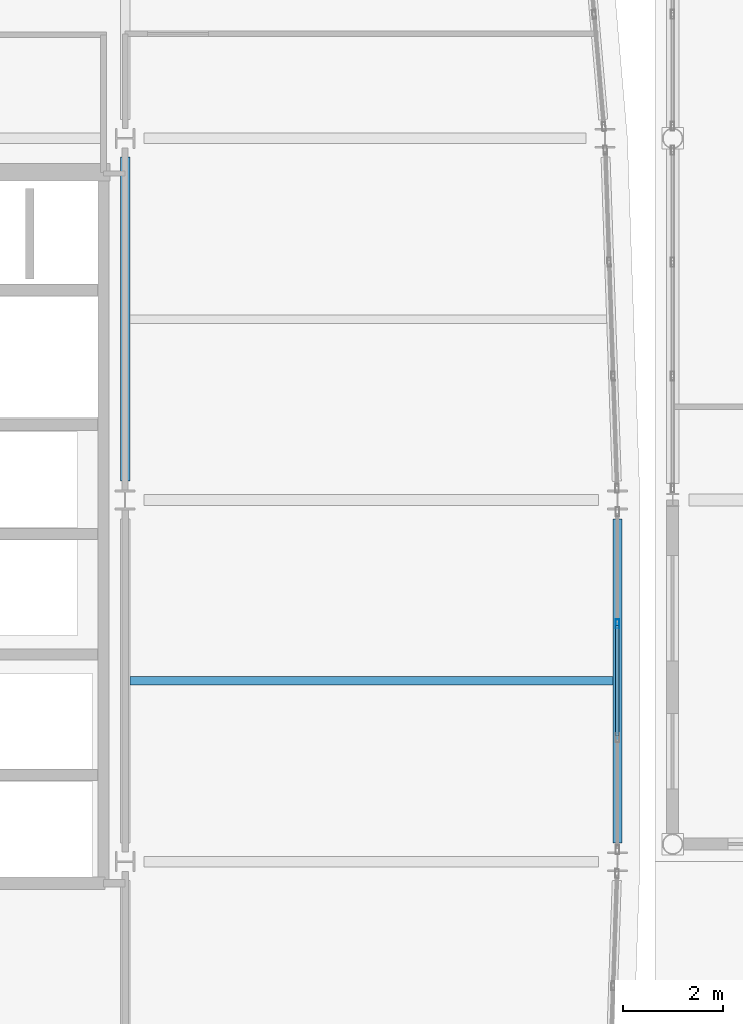
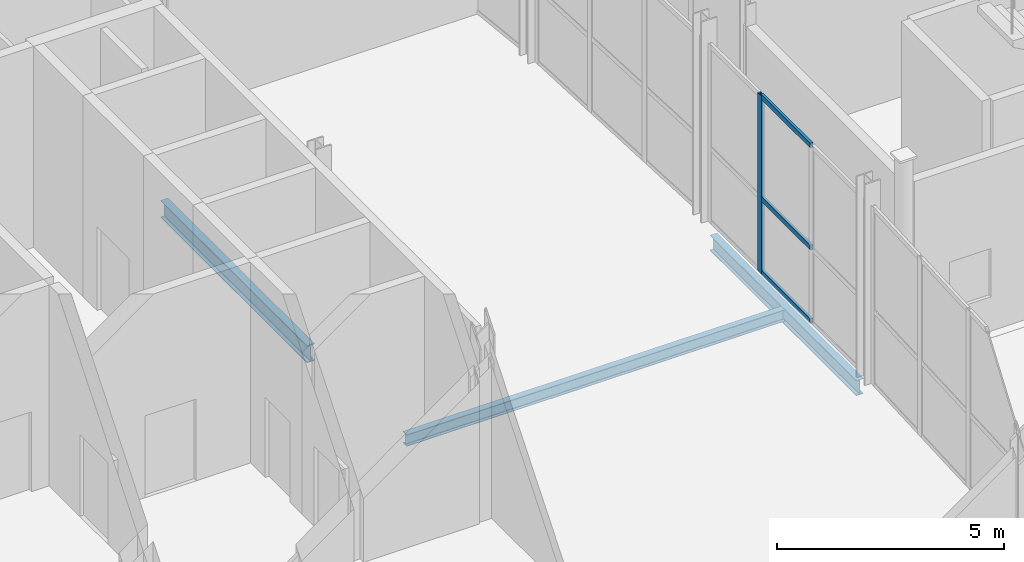
# One storey, part 28 of 83: 4 members, 3 beams, 1 element without a shape of its own.
"""IFC4 building model written with IfcOpenShell, lengths in metres."""

from ifc_helpers import new_model, si_unit, direction, frame, origin, origin_2d, place, context, subcontext, project, spatial, hollow_rectangle, i_section, extrude, material, layer, layer_set, material_profile, profile_set, type_object, element, aggregate, save


model = new_model("IFC4")

# Units and contexts
model_context = context("Model", 3, precision=1e-05, world=origin(), true_north=direction((0.0, 1.0)))
body_context = subcontext(model_context, "Body", "Model", "MODEL_VIEW")
ifc_project = project(units=[si_unit("LENGTHUNIT", "METRE"), si_unit("AREAUNIT", "SQUARE_METRE"), si_unit("VOLUMEUNIT", "CUBIC_METRE"), si_unit("PLANEANGLEUNIT", "RADIAN"), si_unit("MASSUNIT", "GRAM", prefix="KILO")], contexts=[model_context])

# Site, building, storey
site_placement = place(None, origin())
site = spatial("IfcSite", under=ifc_project, at=site_placement, CompositionType="ELEMENT")
building_placement = place(site_placement, origin())
building = spatial("IfcBuilding", under=site, at=building_placement, Name="Quillay Park Conservatory", CompositionType="ELEMENT")
storey_placement = place(building_placement, origin())
storey = spatial("IfcBuildingStorey", under=building, at=storey_placement, Name="L00", CompositionType="ELEMENT", Elevation=0.0)

# Beam
ifc_material_1 = material(Name="Steel ASTM A992 Grade 50", Category="steel")
ifc_material_profile_1 = material_profile(ifc_material_1, i_section(OverallWidth=0.166015625, OverallDepth=0.31298828125, WebThickness=0.006591796875, FlangeThickness=0.01123046875, FilletRadius=0.010009765625, at=origin_2d()), Name="W310x45")
ifc_profile_set_1 = profile_set([ifc_material_profile_1], Name="Steel ASTM A992 Grade 50")
beam_type_1 = type_object("IfcBeamType", Name="COMPOSITE FLOOR JOIST W310 X45", PredefinedType="JOIST", material=ifc_profile_set_1)
beam_1_placement = place(storey_placement, frame((19.845947265625, 88.800048828125, -0.406494140625), z_axis=(1.0, 0.0, 0.0), x_axis=(0.0, 1.0, 0.0)))
element("IfcBeam", 1, at=beam_1_placement, inside=storey, type_object=beam_type_1, Name="L00 beam BM-J-0088", PredefinedType="JOIST", context=body_context, shape_type="SweptSolid", body=[
    extrude(i_section(OverallWidth=0.166015625, OverallDepth=0.31298828125, WebThickness=0.006591796875, FlangeThickness=0.01123046875, FilletRadius=0.010009765625, at=origin_2d()), origin(), (0.0, 0.0, 1.0), 9.614013671875),
])

# Curtain wall, members
ifc_material_2 = material(Name="Thermally Broken Anodised Aluminium 6063-T6", Category="aluminium")
ifc_layer = layer(ifc_material_2, 0.179931640625)
ifc_layer_set = layer_set([ifc_layer], Name="UNITISED CURTAIN WALL TOWER (Thermally Broken Anodised Aluminium 6063-T6)")
curtain_wall_type = type_object("IfcCurtainWallType", Name="UNITISED CURTAIN WALL TOWER", PredefinedType="USERDEFINED", material=ifc_layer_set)
curtain_wall_placement = place(storey_placement, origin())
curtain_wall = element("IfcCurtainWall", 2, at=curtain_wall_placement, inside=storey, type_object=curtain_wall_type, Name="L00 Unitised Curtain Wall 004", ObjectType="UNITISED CURTAIN WALL", PredefinedType="USERDEFINED")
ifc_material_3 = material(Name="Thermally Broken Anodised Aluminium 6063-T6", Category="aluminium")
ifc_material_profile_2 = material_profile(ifc_material_3, hollow_rectangle(XDim=0.070068359375, YDim=0.179931640625, WallThickness=0.00390625, at=origin_2d()), Name="AL70x180x4")
ifc_profile_set_2 = profile_set([ifc_material_profile_2], Name="Thermally Broken Anodised Aluminium 6063-T6")
member_type_1 = type_object("IfcMemberType", Name="CURTAIN WALL MULLION 70 X180", PredefinedType="MULLION", material=ifc_profile_set_2)
member_1_placement = place(storey_placement, frame((29.550048828125, 89.933349609375, 0.0), z_axis=(0.0, 0.0, 1.0), x_axis=(1.0, 0.0, 0.0)))
member_1 = element("IfcMember", 3, at=member_1_placement, type_object=member_type_1, Name="CW-T1 mullion 2", PredefinedType="MULLION", context=body_context, shape_type="SweptSolid", body=[
    extrude(hollow_rectangle(XDim=0.070068359375, YDim=0.179931640625, WallThickness=0.00390625, at=origin_2d()), origin(), (0.0, 0.0, 1.0), 4.7890625),
])
ifc_material_4 = material(Name="Thermally Broken Anodised Aluminium 6063-T6", Category="aluminium")
ifc_material_profile_3 = material_profile(ifc_material_4, hollow_rectangle(XDim=0.070068359375, YDim=0.1298828125, WallThickness=0.003173828125, at=origin_2d()), Name="AL70x130x3.2")
ifc_profile_set_3 = profile_set([ifc_material_profile_3], Name="Thermally Broken Anodised Aluminium 6063-T6")
member_type_2 = type_object("IfcMemberType", Name="CURTAIN WALL TRANSOM 70 X130", PredefinedType="USERDEFINED", material=ifc_profile_set_3)
member_2_placement = place(storey_placement, frame((29.550048828125, 89.8984375, 0.034912109375), z_axis=(0.0, -1.0, 0.0), x_axis=(1.0, 0.0, 0.0)))
member_2 = element("IfcMember", 4, at=member_2_placement, type_object=member_type_2, Name="CW-T1 transom 2.1", ObjectType="TRANSOM", PredefinedType="USERDEFINED", context=body_context, shape_type="SweptSolid", body=[
    extrude(hollow_rectangle(XDim=0.070068359375, YDim=0.1298828125, WallThickness=0.003173828125, at=origin_2d()), origin(), (0.0, 0.0, 1.0), 2.19677734375),
])
member_3_placement = place(storey_placement, frame((29.550048828125, 89.8984375, 2.011474609375), z_axis=(0.0, -1.0, 0.0), x_axis=(1.0, 0.0, 0.0)))
member_3 = element("IfcMember", 5, at=member_3_placement, type_object=member_type_2, Name="CW-T1 transom 2.2", ObjectType="TRANSOM", PredefinedType="USERDEFINED", context=body_context, shape_type="SweptSolid", body=[
    extrude(hollow_rectangle(XDim=0.070068359375, YDim=0.1298828125, WallThickness=0.003173828125, at=origin_2d()), origin(), (0.0, 0.0, 1.0), 2.19677734375),
])
member_4_placement = place(storey_placement, frame((29.550048828125, 89.8984375, 4.75390625), z_axis=(0.0, -1.0, 0.0), x_axis=(1.0, 0.0, 0.0)))
member_4 = element("IfcMember", 6, at=member_4_placement, type_object=member_type_2, Name="CW-T1 transom 2.3", ObjectType="TRANSOM", PredefinedType="USERDEFINED", context=body_context, shape_type="SweptSolid", body=[
    extrude(hollow_rectangle(XDim=0.070068359375, YDim=0.1298828125, WallThickness=0.003173828125, at=origin_2d()), origin(), (0.0, 0.0, 1.0), 2.19677734375),
])
aggregate(curtain_wall, [member_1, member_2, member_3, member_4])

# Beams
ifc_material_5 = material(Name="Steel ASTM A992 Grade 50", Category="steel")
ifc_material_profile_4 = material_profile(ifc_material_5, i_section(OverallWidth=0.179931640625, OverallDepth=0.4130859375, WebThickness=0.009765625, FlangeThickness=0.01611328125, FilletRadius=0.011962890625, at=origin_2d()), Name="W410x74")
ifc_profile_set_4 = profile_set([ifc_material_profile_4], Name="Steel ASTM A992 Grade 50")
beam_type_2 = type_object("IfcBeamType", Name="PERIMETER SPANDREL BEAM W410 X74", PredefinedType="SPANDREL", material=ifc_profile_set_4)
beam_2_placement = place(storey_placement, frame((29.550048828125, 85.574951171875, -0.45654296875), z_axis=(0.0, 1.0, 0.0), x_axis=(-1.0, 0.0, 0.0)))
element("IfcBeam", 7, at=beam_2_placement, inside=storey, type_object=beam_type_2, Name="L00 beam BM-SPE-0085", PredefinedType="SPANDREL", context=body_context, shape_type="SweptSolid", body=[
    extrude(i_section(OverallWidth=0.179931640625, OverallDepth=0.4130859375, WebThickness=0.009765625, FlangeThickness=0.01611328125, FilletRadius=0.011962890625, at=origin_2d()), origin(), (0.0, 0.0, 1.0), 6.449951171875),
])
ifc_material_6 = material(Name="Steel ASTM A992 Grade 50", Category="steel")
ifc_material_profile_5 = material_profile(ifc_material_6, i_section(OverallWidth=0.19189453125, OverallDepth=0.462890625, WebThickness=0.010498046875, FlangeThickness=0.017578125, FilletRadius=0.012939453125, at=origin_2d()), Name="W460x89")
ifc_profile_set_5 = profile_set([ifc_material_profile_5], Name="Steel ASTM A992 Grade 50")
beam_type_3 = type_object("IfcBeamType", Name="PRIMARY FLOOR GIRDER W460 X89", PredefinedType="BEAM", material=ifc_profile_set_5)
beam_3_placement = place(storey_placement, frame((19.75, 92.77490234375, -0.4814453125), z_axis=(0.0, 1.0, 0.0), x_axis=(-1.0, 0.0, 0.0)))
element("IfcBeam", 8, at=beam_3_placement, inside=storey, type_object=beam_type_3, Name="L00 beam BM-GNS-0092", PredefinedType="BEAM", context=body_context, shape_type="SweptSolid", body=[
    extrude(i_section(OverallWidth=0.19189453125, OverallDepth=0.462890625, WebThickness=0.010498046875, FlangeThickness=0.017578125, FilletRadius=0.012939453125, at=origin_2d()), origin(), (0.0, 0.0, 1.0), 6.4501953125),
])

save(model, "model.ifc")
